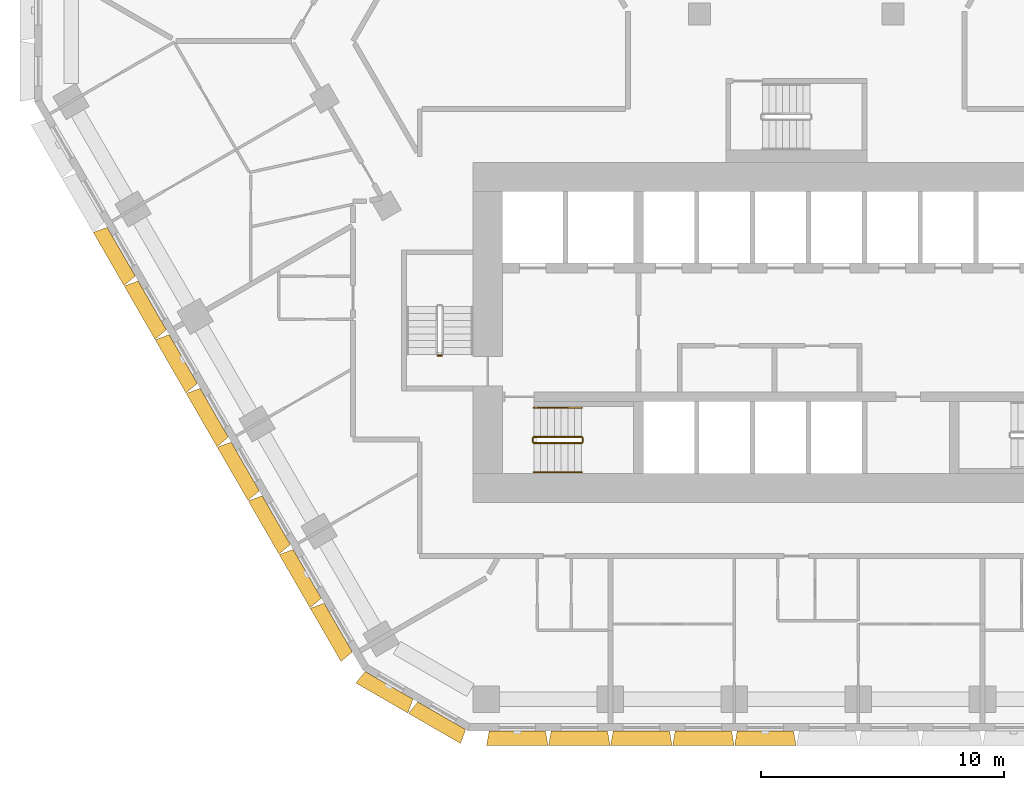
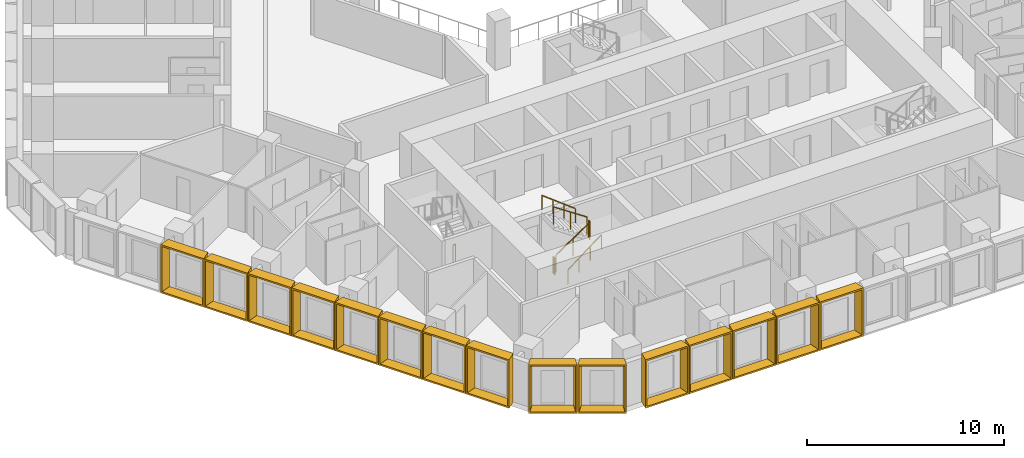
# One storey, part 18 of 21: 15 shading devices, 7 railings.
"""IFC4 building model written with IfcOpenShell, lengths in metres."""

from ifc_helpers import new_model, entity, si_unit, direction, frame, origin, origin_2d, place, context, subcontext, project, spatial, rectangle, extrude, source, transform, mapped, material, type_object, type_shapes, element, save


model = new_model("IFC4")

# Units and contexts
model_context = context("Model", 3, precision=1e-05, world=origin(), true_north=direction((0.0, 1.0)))
body_context = subcontext(model_context, "Body", "Model", "MODEL_VIEW")
ifc_project = project(units=[si_unit("LENGTHUNIT", "METRE"), si_unit("AREAUNIT", "SQUARE_METRE"), si_unit("VOLUMEUNIT", "CUBIC_METRE"), si_unit("PLANEANGLEUNIT", "RADIAN"), si_unit("MASSUNIT", "GRAM", prefix="KILO")], contexts=[model_context])

# Site, building, storey
site_placement = place(None, origin())
site = spatial("IfcSite", under=ifc_project, at=site_placement, CompositionType="ELEMENT")
building_placement = place(site_placement, origin())
building = spatial("IfcBuilding", under=site, at=building_placement, Name="Beryl Residences", CompositionType="ELEMENT")
storey_placement = place(building_placement, frame((0.0, 0.0, 41.39990234375)))
storey = spatial("IfcBuildingStorey", under=building, at=storey_placement, Name="L12", CompositionType="ELEMENT", Elevation=41.39990234375)

# Shading devices
ifc_material_1 = material(Name="Aluminium pale anodised", Category="aluminium")
shading_device_type_1 = type_object("IfcShadingDeviceType", Name="FR250-60A OUTER SKIN frame 600 mm deep, splay 10/10 deg, 2500 x 3000 mm cell", PredefinedType="USERDEFINED", material=ifc_material_1)
cartesian_point_1 = entity("IfcCartesianPoint", [-1.134033203125, 0.0])
cartesian_point_2 = entity("IfcCartesianPoint", [-1.052734375, 0.10009765625])
cartesian_point_3 = entity("IfcCartesianPoint", [-1.23974609375, 0.0])
cartesian_point_4 = entity("IfcCartesianPoint", [-1.158447265625, 0.10009765625])
shared_shape_1 = source(origin(), body_context, "Body", "SweptSolid", [
    entity("IfcExtrudedAreaSolidTapered", entity("IfcArbitraryProfileDefWithVoids", "AREA", None, entity("IfcPolyline", [cartesian_point_1, entity("IfcCartesianPoint", [1.134033203125, 0.0]), entity("IfcCartesianPoint", [1.134033203125, 3.0]), entity("IfcCartesianPoint", [-1.134033203125, 3.0]), cartesian_point_1]), [entity("IfcPolyline", [cartesian_point_2, entity("IfcCartesianPoint", [1.052734375, 0.10009765625]), entity("IfcCartesianPoint", [1.052734375, 2.89990234375]), entity("IfcCartesianPoint", [-1.052734375, 2.89990234375]), cartesian_point_2])]), entity("IfcAxis2Placement3D", entity("IfcCartesianPoint", [0.0, 0.0, 0.0]), entity("IfcDirection", [0.0, 1.0, 0.0]), entity("IfcDirection", [-1.0, 0.0, 0.0])), entity("IfcDirection", [0.0, 0.0, 1.0]), 0.60009765625, entity("IfcArbitraryProfileDefWithVoids", "AREA", None, entity("IfcPolyline", [cartesian_point_3, entity("IfcCartesianPoint", [1.23974609375, 0.0]), entity("IfcCartesianPoint", [1.23974609375, 3.0]), entity("IfcCartesianPoint", [-1.23974609375, 3.0]), cartesian_point_3]), [entity("IfcPolyline", [cartesian_point_4, entity("IfcCartesianPoint", [1.158447265625, 0.10009765625]), entity("IfcCartesianPoint", [1.158447265625, 2.89990234375]), entity("IfcCartesianPoint", [-1.158447265625, 2.89990234375]), cartesian_point_4])])),
])
type_shapes(shading_device_type_1, [shared_shape_1])
for number, where, z_axis, x_axis, name in (
    (1, (-16.758056640625, -26.52490234375, 0.0), (0.0, 0.0, 1.0), (-0.866025403784, 0.5, 0.0), "FR250-60A frame L12 SW-S 1"),
    (2, (-14.593017578125, -27.77490234375, 0.0), (0.0, 0.0, 1.0), (-0.866025403784, 0.5, 0.0), "FR250-60A frame L12 SW-S 2"),
):
    element("IfcShadingDevice", number, at=place(storey_placement, frame(where, z_axis=z_axis, x_axis=x_axis)), inside=storey, type_object=shading_device_type_1, Name=name, ObjectType="OUTER SKIN", PredefinedType="USERDEFINED", context=body_context, shape_type="MappedRepresentation", body=[
        mapped(shared_shape_1, transform((0.0, 0.0, 0.0))),
    ])
ifc_material_2 = material(Name="Aluminium pale anodised", Category="aluminium")
shading_device_type_2 = type_object("IfcShadingDeviceType", Name="FR255-60A OUTER SKIN frame 600 mm deep, splay 10/10 deg, 2550 x 3000 mm cell", PredefinedType="USERDEFINED", material=ifc_material_2)
cartesian_point_5 = entity("IfcCartesianPoint", [-1.158935546875, 0.0])
cartesian_point_6 = entity("IfcCartesianPoint", [-1.077880859375, 0.10009765625])
cartesian_point_7 = entity("IfcCartesianPoint", [-1.264892578125, 0.0])
cartesian_point_8 = entity("IfcCartesianPoint", [-1.18359375, 0.10009765625])
shared_shape_2 = source(origin(), body_context, "Body", "SweptSolid", [
    entity("IfcExtrudedAreaSolidTapered", entity("IfcArbitraryProfileDefWithVoids", "AREA", None, entity("IfcPolyline", [cartesian_point_5, entity("IfcCartesianPoint", [1.158935546875, 0.0]), entity("IfcCartesianPoint", [1.158935546875, 3.0]), entity("IfcCartesianPoint", [-1.158935546875, 3.0]), cartesian_point_5]), [entity("IfcPolyline", [cartesian_point_6, entity("IfcCartesianPoint", [1.077880859375, 0.10009765625]), entity("IfcCartesianPoint", [1.077880859375, 2.89990234375]), entity("IfcCartesianPoint", [-1.077880859375, 2.89990234375]), cartesian_point_6])]), entity("IfcAxis2Placement3D", entity("IfcCartesianPoint", [0.0, 0.0, 0.0]), entity("IfcDirection", [0.0, 1.0, 0.0]), entity("IfcDirection", [-1.0, 0.0, 0.0])), entity("IfcDirection", [0.0, 0.0, 1.0]), 0.60009765625, entity("IfcArbitraryProfileDefWithVoids", "AREA", None, entity("IfcPolyline", [cartesian_point_7, entity("IfcCartesianPoint", [1.264892578125, 0.0]), entity("IfcCartesianPoint", [1.264892578125, 3.0]), entity("IfcCartesianPoint", [-1.264892578125, 3.0]), cartesian_point_7]), [entity("IfcPolyline", [cartesian_point_8, entity("IfcCartesianPoint", [1.18359375, 0.10009765625]), entity("IfcCartesianPoint", [1.18359375, 2.89990234375]), entity("IfcCartesianPoint", [-1.18359375, 2.89990234375]), cartesian_point_8])])),
])
type_shapes(shading_device_type_2, [shared_shape_2])
for number, where, z_axis, x_axis, name in (
    (3, (-27.783935546875, -8.676025390625, 0.0), (0.0, 0.0, 1.0), (-0.5, 0.866025403784, 0.0), "FR255-60A frame L12 SW 3"),
    (4, (-26.508056640625, -10.885986328125, 0.0), (0.0, 0.0, 1.0), (-0.5, 0.866025403784, 0.0), "FR255-60A frame L12 SW 4"),
    (5, (-25.23193359375, -13.095947265625, 0.0), (0.0, 0.0, 1.0), (-0.5, 0.866025403784, 0.0), "FR255-60A frame L12 SW 5"),
    (6, (-23.95703125, -15.305908203125, 0.0), (0.0, 0.0, 1.0), (-0.5, 0.866025403784, 0.0), "FR255-60A frame L12 SW 6"),
    (7, (-22.680908203125, -17.51611328125, 0.0), (0.0, 0.0, 1.0), (-0.5, 0.866025403784, 0.0), "FR255-60A frame L12 SW 7"),
    (8, (-21.405029296875, -19.72607421875, 0.0), (0.0, 0.0, 1.0), (-0.5, 0.866025403784, 0.0), "FR255-60A frame L12 SW 8"),
    (9, (-20.12890625, -21.93603515625, 0.0), (0.0, 0.0, 1.0), (-0.5, 0.866025403784, 0.0), "FR255-60A frame L12 SW 9"),
    (10, (-18.85302734375, -24.14599609375, 0.0), (0.0, 0.0, 1.0), (-0.5, 0.866025403784, 0.0), "FR255-60A frame L12 SW 10"),
    (11, (-11.48291015625, -28.39990234375, 0.0), (0.0, 0.0, 1.0), (-1.0, 0.0, 0.0), "FR255-60A frame L12 S 1"),
    (12, (-8.930908203125, -28.39990234375, 0.0), (0.0, 0.0, 1.0), (-1.0, 0.0, 0.0), "FR255-60A frame L12 S 2"),
    (13, (-6.37890625, -28.39990234375, 0.0), (0.0, 0.0, 1.0), (-1.0, 0.0, 0.0), "FR255-60A frame L12 S 3"),
    (14, (-3.826904296875, -28.39990234375, 0.0), (0.0, 0.0, 1.0), (-1.0, 0.0, 0.0), "FR255-60A frame L12 S 4"),
    (15, (-1.27490234375, -28.39990234375, 0.0), (0.0, 0.0, 1.0), (-1.0, 0.0, 0.0), "FR255-60A frame L12 S 5"),
):
    element("IfcShadingDevice", number, at=place(storey_placement, frame(where, z_axis=z_axis, x_axis=x_axis)), inside=storey, type_object=shading_device_type_2, Name=name, ObjectType="OUTER SKIN", PredefinedType="USERDEFINED", context=body_context, shape_type="MappedRepresentation", body=[
        mapped(shared_shape_2, transform((0.0, 0.0, 0.0))),
    ])

# Railings
ifc_material_3 = material(Name="Stainless steel balustrade with glass infill", Category="steel")
railing_type_1 = type_object("IfcRailingType", Name="SG1 stair guard 1100 mm", PredefinedType="GUARDRAIL", material=ifc_material_3)
railing_1_placement = place(storey_placement, frame((-10.800048828125, -16.550048828125, 0.1875)))
element("IfcRailing", 16, at=railing_1_placement, inside=storey, type_object=railing_type_1, Name="L12 ST-1 stair guard 1", PredefinedType="GUARDRAIL", context=body_context, shape_type="SweptSolid", body=[
    extrude(rectangle(XDim=0.048095703125, YDim=0.048095703125, at=origin_2d()), frame((0.0, 0.0, 1.076171875), z_axis=(0.830902050051, 0.0, 0.556418712142), x_axis=(0.0, 1.0, 0.0)), (0.0, 0.0, 1.0), 2.35888671875),
    extrude(rectangle(XDim=0.0419921875, YDim=0.0419921875, at=origin_2d()), origin(), (0.0, 0.0, 1.0), 1.052001953125),
    extrude(rectangle(XDim=0.0419921875, YDim=0.0419921875, at=origin_2d()), frame((0.97998046875, 0.0, 0.65625)), (0.0, 0.0, 1.0), 1.052001953125),
    extrude(rectangle(XDim=0.0419921875, YDim=0.0419921875, at=origin_2d()), frame((1.9599609375, 0.0, 1.3125)), (0.0, 0.0, 1.0), 1.052001953125),
])
railing_2_placement = place(storey_placement, frame((-8.7900390625, -16.5, 1.5)))
element("IfcRailing", 17, at=railing_2_placement, inside=storey, type_object=railing_type_1, Name="L12 ST-1 stair guard 2", PredefinedType="GUARDRAIL", context=body_context, shape_type="SweptSolid", body=[
    extrude(rectangle(XDim=0.048095703125, YDim=0.048095703125, at=origin_2d()), frame((0.0, 0.0, 1.076171875), z_axis=(0.0, 1.0, 0.0), x_axis=(-1.0, 0.0, 0.0)), (0.0, 0.0, 1.0), 0.14990234375),
    extrude(rectangle(XDim=0.0419921875, YDim=0.0419921875, at=origin_2d()), origin(), (0.0, 0.0, 1.0), 1.052001953125),
    extrude(rectangle(XDim=0.0419921875, YDim=0.0419921875, at=origin_2d()), frame((0.0, 0.14990234375, 0.0)), (0.0, 0.0, 1.0), 1.052001953125),
])
railing_3_placement = place(storey_placement, frame((-8.840087890625, -16.300048828125, 1.6875)))
element("IfcRailing", 18, at=railing_3_placement, inside=storey, type_object=railing_type_1, Name="L12 ST-1 stair guard 3", PredefinedType="GUARDRAIL", context=body_context, shape_type="SweptSolid", body=[
    extrude(rectangle(XDim=0.048095703125, YDim=0.048095703125, at=origin_2d()), frame((0.0, 0.0, 1.076171875), z_axis=(-0.830902050051, 0.0, 0.556418712142), x_axis=(0.0, -1.0, 0.0)), (0.0, 0.0, 1.0), 2.35888671875),
    extrude(rectangle(XDim=0.0419921875, YDim=0.0419921875, at=origin_2d()), origin(), (0.0, 0.0, 1.0), 1.052001953125),
    extrude(rectangle(XDim=0.0419921875, YDim=0.0419921875, at=origin_2d()), frame((-0.97998046875, 0.0, 0.65625)), (0.0, 0.0, 1.0), 1.052001953125),
    extrude(rectangle(XDim=0.0419921875, YDim=0.0419921875, at=origin_2d()), frame((-1.9599609375, 0.0, 1.3125)), (0.0, 0.0, 1.0), 1.052001953125),
])
railing_4_placement = place(storey_placement, frame((-10.85009765625, -16.5, 0.0)))
element("IfcRailing", 19, at=railing_4_placement, inside=storey, type_object=railing_type_1, Name="L12 ST-1 stair guard 4", PredefinedType="GUARDRAIL", context=body_context, shape_type="SweptSolid", body=[
    extrude(rectangle(XDim=0.048095703125, YDim=0.048095703125, at=origin_2d()), frame((0.0, 0.0, 1.076171875), z_axis=(0.0, 1.0, 0.0), x_axis=(-1.0, 0.0, 0.0)), (0.0, 0.0, 1.0), 0.14990234375),
    extrude(rectangle(XDim=0.0419921875, YDim=0.0419921875, at=origin_2d()), origin(), (0.0, 0.0, 1.0), 1.052001953125),
    extrude(rectangle(XDim=0.0419921875, YDim=0.0419921875, at=origin_2d()), frame((0.0, 0.14990234375, 0.0)), (0.0, 0.0, 1.0), 1.052001953125),
])
railing_5_placement = place(storey_placement, frame((-14.60009765625, -12.949951171875, 0.0)))
element("IfcRailing", 20, at=railing_5_placement, inside=storey, type_object=railing_type_1, Name="L12 ST-2 stair guard 4", PredefinedType="GUARDRAIL", context=body_context, shape_type="SweptSolid", body=[
    extrude(rectangle(XDim=0.048095703125, YDim=0.048095703125, at=origin_2d()), frame((0.0, 0.0, 1.076171875), z_axis=(-1.0, 0.0, 0.0), x_axis=(0.0, -1.0, 0.0)), (0.0, 0.0, 1.0), 0.14990234375),
    extrude(rectangle(XDim=0.0419921875, YDim=0.0419921875, at=origin_2d()), origin(), (0.0, 0.0, 1.0), 1.052001953125),
    extrude(rectangle(XDim=0.0419921875, YDim=0.0419921875, at=origin_2d()), frame((-0.14990234375, 0.0, 0.0)), (0.0, 0.0, 1.0), 1.052001953125),
])
ifc_material_4 = material(Name="Stainless steel handrail", Category="steel")
railing_type_2 = type_object("IfcRailingType", Name="SRL1 stair handrail 900 mm", PredefinedType="HANDRAIL", material=ifc_material_4)
railing_6_placement = place(storey_placement, frame((-10.800048828125, -17.75, 0.1875)))
element("IfcRailing", 21, at=railing_6_placement, inside=storey, type_object=railing_type_2, Name="L12 ST-1 stair handrail 1", PredefinedType="HANDRAIL", context=body_context, shape_type="SweptSolid", body=[
    extrude(rectangle(XDim=0.048095703125, YDim=0.048095703125, at=origin_2d()), frame((0.0, 0.0, 0.8759765625), z_axis=(0.794121922505, 0.0, 0.607758481798), x_axis=(0.0, 1.0, 0.0)), (0.0, 0.0, 1.0), 2.468017578125),
    extrude(rectangle(XDim=0.0419921875, YDim=0.0419921875, at=origin_2d()), origin(), (0.0, 0.0, 1.0), 0.851806640625),
    extrude(rectangle(XDim=0.0419921875, YDim=0.0419921875, at=origin_2d()), frame((0.6533203125, 0.0, 0.5)), (0.0, 0.0, 1.0), 0.851806640625),
    extrude(rectangle(XDim=0.0419921875, YDim=0.0419921875, at=origin_2d()), frame((1.306640625, 0.0, 1.0)), (0.0, 0.0, 1.0), 0.851806640625),
    extrude(rectangle(XDim=0.0419921875, YDim=0.0419921875, at=origin_2d()), frame((1.9599609375, 0.0, 1.5)), (0.0, 0.0, 1.0), 0.851806640625),
])
railing_7_placement = place(storey_placement, frame((-8.840087890625, -15.10009765625, 1.6875)))
element("IfcRailing", 22, at=railing_7_placement, inside=storey, type_object=railing_type_2, Name="L12 ST-1 stair handrail 2", PredefinedType="HANDRAIL", context=body_context, shape_type="SweptSolid", body=[
    extrude(rectangle(XDim=0.048095703125, YDim=0.048095703125, at=origin_2d()), frame((0.0, 0.0, 0.8759765625), z_axis=(-0.794121922505, 0.0, 0.607758481798), x_axis=(0.0, -1.0, 0.0)), (0.0, 0.0, 1.0), 2.468017578125),
    extrude(rectangle(XDim=0.0419921875, YDim=0.0419921875, at=origin_2d()), origin(), (0.0, 0.0, 1.0), 0.851806640625),
    extrude(rectangle(XDim=0.0419921875, YDim=0.0419921875, at=origin_2d()), frame((-0.6533203125, 0.0, 0.5)), (0.0, 0.0, 1.0), 0.851806640625),
    extrude(rectangle(XDim=0.0419921875, YDim=0.0419921875, at=origin_2d()), frame((-1.306640625, 0.0, 1.0)), (0.0, 0.0, 1.0), 0.851806640625),
    extrude(rectangle(XDim=0.0419921875, YDim=0.0419921875, at=origin_2d()), frame((-1.9599609375, 0.0, 1.5)), (0.0, 0.0, 1.0), 0.851806640625),
])

save(model, "model.ifc")
